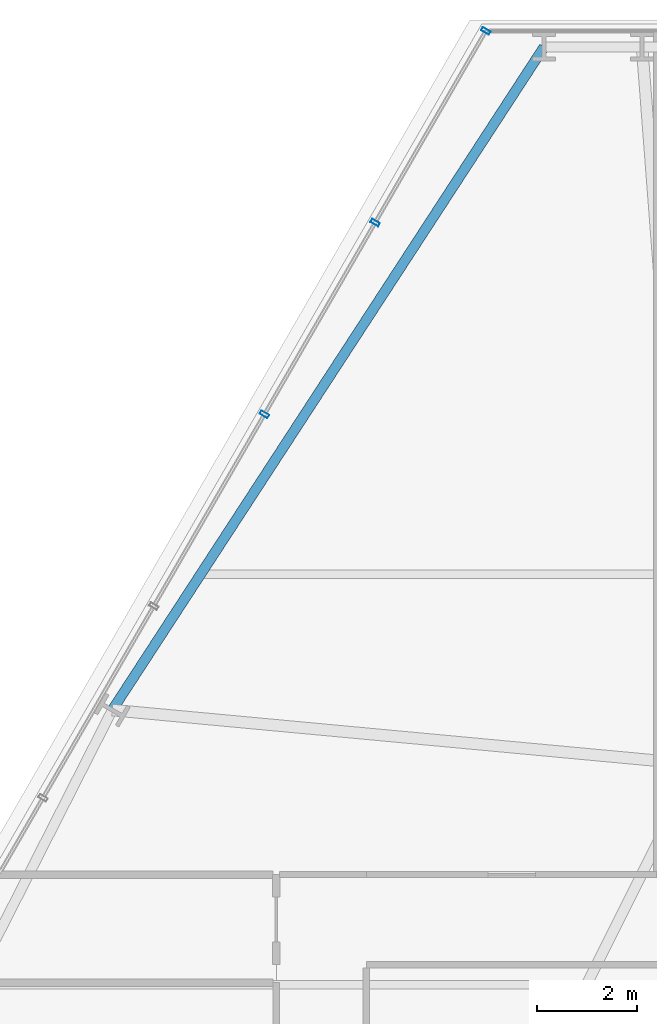
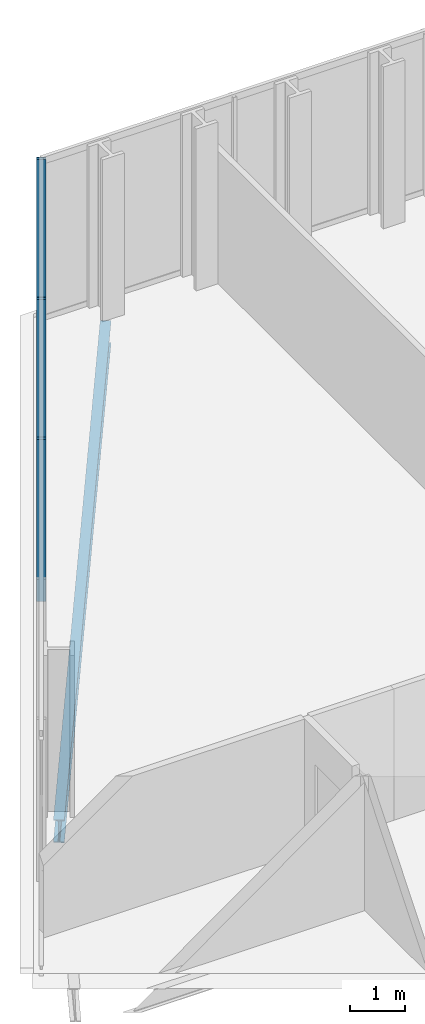
# One storey, part 20 of 32: 3 members, 1 beam, 1 element without a shape of its own.
"""IFC4 building model written with IfcOpenShell, lengths in metres."""

import ifcopenshell
import ifcopenshell.guid

model = None  # the IFC model being written
_history = None  # IfcOwnerHistory: only IFC2X3 demands one
_inside = {}  # id of a spatial element -> (the spatial element, [elements in it])
_under = {}  # id of a project, library or spatial element -> (it, [spatial elements below it])
_declared = {}  # id of a project -> (the project, [libraries it declares])
_typed = {}  # id of a type object -> (the type object, [elements of that type])
_made_of = {}  # id of a material, layer set ... -> (it, [elements and type objects made of it])


def new_model(schema):
    """Start an empty IFC model of exactly this schema.

    Asked for "IFC4X3", IfcOpenShell would pick the latest addendum, in which some entities
    have other attributes; the version numbers below select the first issue.
    IFC2X3 requires an IfcOwnerHistory on every rooted entity: one is made here for all.
    """
    global model, _history
    if schema == "IFC4X3":
        model = ifcopenshell.file(schema_version=(4, 3, 0, 0))
    else:
        model = ifcopenshell.file(schema=schema)
    _inside.clear()
    _under.clear()
    _declared.clear()
    _typed.clear()
    _made_of.clear()
    _history = None
    if model.schema == "IFC2X3":
        org = make("IfcOrganization", Name="unknown")
        user = make(
            "IfcPersonAndOrganization",
            ThePerson=make("IfcPerson", FamilyName="unknown"),
            TheOrganization=org,
        )
        app = make(
            "IfcApplication",
            ApplicationDeveloper=org,
            Version="unknown",
            ApplicationFullName="unknown",
            ApplicationIdentifier="unknown",
        )
        _history = make(
            "IfcOwnerHistory",
            OwningUser=user,
            OwningApplication=app,
            ChangeAction="ADDED",
            CreationDate=0,
        )
    return model


def make(cls, **values):
    """One entity of the class cls with the attributes given. An attribute that is None is left unset."""
    return model.create_entity(
        cls, **{name: value for name, value in values.items() if value is not None}
    )


def rooted(cls, **values):
    """An entity with a GlobalId (a new one), such as an element, a storey or a relation."""
    return make(cls, GlobalId=ifcopenshell.guid.new(), OwnerHistory=_history, **values)


def si_unit(unit_type, name, prefix=None):
    """IfcSIUnit, for example si_unit("LENGTHUNIT", "METRE", prefix="MILLI")."""
    return make("IfcSIUnit", UnitType=unit_type, Prefix=prefix, Name=name)


def assignment(units):
    """IfcUnitAssignment: the units of a project."""
    return None if units is None else make("IfcUnitAssignment", Units=units)


def point(xyz):
    """IfcCartesianPoint."""
    return None if xyz is None else make("IfcCartesianPoint", Coordinates=xyz)


def direction(xyz):
    """IfcDirection."""
    return None if xyz is None else make("IfcDirection", DirectionRatios=xyz)


def frame(location, z_axis=None, x_axis=None):
    """IfcAxis2Placement3D, a coordinate frame: its origin and axes. An axis left out is left unset."""
    return make(
        "IfcAxis2Placement3D",
        Location=point(location),
        Axis=direction(z_axis),
        RefDirection=direction(x_axis),
    )


def frame_2d(location, x_axis=None):
    """IfcAxis2Placement2D, a coordinate frame in the plane: its origin and x axis."""
    return make(
        "IfcAxis2Placement2D", Location=point(location), RefDirection=direction(x_axis)
    )


def origin():
    """The frame at (0, 0, 0) with its axes left unset."""
    return frame((0.0, 0.0, 0.0))


def origin_2d():
    """The frame at (0, 0) in the plane with its x axis left unset."""
    return frame_2d((0.0, 0.0))


def place(relative_to, where):
    """IfcLocalPlacement: puts the frame where relative to a parent placement (None: the world)."""
    return make(
        "IfcLocalPlacement", PlacementRelTo=relative_to, RelativePlacement=where
    )


def context(
    kind, dimensions, precision=None, world=None, true_north=None, identifier=None
):
    """IfcGeometricRepresentationContext, for example the 3D "Model" context."""
    return make(
        "IfcGeometricRepresentationContext",
        ContextIdentifier=identifier,
        ContextType=kind,
        CoordinateSpaceDimension=dimensions,
        Precision=precision,
        WorldCoordinateSystem=world,
        TrueNorth=true_north,
    )


def subcontext(parent, identifier, kind, view, scale=None):
    """IfcGeometricRepresentationSubContext, for example "Body" below "Model"."""
    return make(
        "IfcGeometricRepresentationSubContext",
        ContextIdentifier=identifier,
        ContextType=kind,
        ParentContext=parent,
        TargetScale=scale,
        TargetView=view,
    )


def project(units=None, contexts=None):
    """IfcProject with its units and contexts."""
    return rooted(
        "IfcProject",
        Name="project",
        RepresentationContexts=contexts,
        UnitsInContext=assignment(units),
    )


def spatial(cls, under=None, at=None, **own):
    """A site, building, storey or space (cls), placed at a placement, below another one or the project."""
    s = rooted(cls, ObjectPlacement=at, **own)
    if under is not None:
        _under.setdefault(under.id(), (under, []))[1].append(s)
    return s


def profile(cls, at=None, kind="AREA", **sizes):
    """A parametric profile (cls). Its sizes go by their IFC names, for example OverallWidth=200.0."""
    return make(cls, ProfileType=kind, Position=at, **sizes)


def hollow_rectangle(**sizes):
    """IfcRectangleHollowProfileDef."""
    return profile("IfcRectangleHollowProfileDef", **sizes)


def i_section(**sizes):
    """IfcIShapeProfileDef."""
    return profile("IfcIShapeProfileDef", **sizes)


def extrude(swept, where, along, depth):
    """IfcExtrudedAreaSolid: the profile swept, set in the frame where, extruded along a direction by depth."""
    return make(
        "IfcExtrudedAreaSolid",
        SweptArea=swept,
        Position=where,
        ExtrudedDirection=direction(along),
        Depth=depth,
    )


def shape(context_of_items, identifier, shape_type, items):
    """IfcShapeRepresentation: the items that make up one representation, for example the "Body"."""
    return make(
        "IfcShapeRepresentation",
        ContextOfItems=context_of_items,
        RepresentationIdentifier=identifier,
        RepresentationType=shape_type,
        Items=items,
    )


def material(Name=None, Category=None):
    """IfcMaterial."""
    return make("IfcMaterial", Name=Name, Category=Category)


def layer(
    of_material, thickness, ventilated=None, Name=None, Category=None, Priority=None
):
    """IfcMaterialLayer: one layer of a wall or slab, of a material (None: an air gap)."""
    return make(
        "IfcMaterialLayer",
        Material=of_material,
        LayerThickness=thickness,
        IsVentilated=ventilated,
        Name=Name,
        Category=Category,
        Priority=Priority,
    )


def layer_set(layers, Name=None):
    """IfcMaterialLayerSet."""
    return make("IfcMaterialLayerSet", MaterialLayers=layers, LayerSetName=Name)


def material_profile(
    of_material, cross_section, Name=None, Category=None, Priority=None
):
    """IfcMaterialProfile: a cross section and its material."""
    return make(
        "IfcMaterialProfile",
        Name=Name,
        Material=of_material,
        Profile=cross_section,
        Priority=Priority,
        Category=Category,
    )


def profile_set(profiles, Name=None, composite=None):
    """IfcMaterialProfileSet."""
    return make(
        "IfcMaterialProfileSet",
        Name=Name,
        MaterialProfiles=profiles,
        CompositeProfile=composite,
    )


def made_of(thing, what):
    """Note that an element or type object is made of a material, layer set ...; save() writes the relation."""
    if what is not None:
        _made_of.setdefault(what.id(), (what, []))[1].append(thing)
    return thing


def type_object(cls, material=None, **own):
    """A type object (cls), such as IfcWallType, which elements share."""
    return made_of(rooted(cls, **own), material)


def element(
    cls,
    number,
    at=None,
    inside=None,
    cuts=None,
    type_object=None,
    material=None,
    context=None,
    identifier="Body",
    shape_type=None,
    held_by="IfcProductDefinitionShape",
    body=None,
    shapes=None,
    **own,
):
    """One element of the class cls, such as IfcWall. Its Tag is "e" and its number.

    at: its placement. inside: the storey or other place that contains it. cuts: it is an
    opening in that element (IfcRelVoidsElement). A single representation is given by context,
    identifier, shape_type and body (its items); several are given by shapes. held_by: the class
    of the entity that holds the representations. save() writes the other relations.
    """
    e = rooted(cls, Tag="e%d" % number, ObjectPlacement=at, **own)
    if body is not None:
        shapes = [shape(context, identifier, shape_type, body)]
    if shapes is not None:
        e.Representation = make(held_by, Representations=shapes)
    if inside is not None:
        _inside.setdefault(inside.id(), (inside, []))[1].append(e)
    if cuts is not None:
        rooted(
            "IfcRelVoidsElement", RelatingBuildingElement=cuts, RelatedOpeningElement=e
        )
    if type_object is not None:
        _typed.setdefault(type_object.id(), (type_object, []))[1].append(e)
    return made_of(e, material)


def aggregate(whole, parts):
    """IfcRelAggregates: a whole, such as a stair, and the parts it consists of."""
    return rooted("IfcRelAggregates", RelatingObject=whole, RelatedObjects=parts)


def save(model, path):
    """Write the relations noted so far, then the file.

    IfcRelAggregates (storeys below a building ...), IfcRelContainedInSpatialStructure (elements
    in a storey), IfcRelDefinesByType, IfcRelAssociatesMaterial and IfcRelDeclares: one each for
    every whole, place, type object, material and project.
    """
    for whole, parts in _under.values():
        aggregate(whole, parts)
    for where, things in _inside.values():
        rooted(
            "IfcRelContainedInSpatialStructure",
            RelatedElements=things,
            RelatingStructure=where,
        )
    for kind, things in _typed.values():
        rooted("IfcRelDefinesByType", RelatedObjects=things, RelatingType=kind)
    for what, things in _made_of.values():
        rooted("IfcRelAssociatesMaterial", RelatedObjects=things, RelatingMaterial=what)
    for by, libraries in _declared.values():
        rooted("IfcRelDeclares", RelatingContext=by, RelatedDefinitions=libraries)
    model.write(path)


model = new_model("IFC4")

# Units and contexts
model_context = context("Model", 3, precision=1e-05, world=origin(), true_north=direction((0.0, 1.0)))
body_context = subcontext(model_context, "Body", "Model", "MODEL_VIEW")
ifc_project = project(units=[si_unit("LENGTHUNIT", "METRE"), si_unit("AREAUNIT", "SQUARE_METRE"), si_unit("VOLUMEUNIT", "CUBIC_METRE"), si_unit("PLANEANGLEUNIT", "RADIAN"), si_unit("MASSUNIT", "GRAM", prefix="KILO")], contexts=[model_context])

# Site, building, storey
site_placement = place(None, origin())
site = spatial("IfcSite", under=ifc_project, at=site_placement, CompositionType="ELEMENT")
building_placement = place(site_placement, origin())
building = spatial("IfcBuilding", under=site, at=building_placement, Name="Ndaravel Arena Tower", CompositionType="ELEMENT")
storey_placement = place(building_placement, frame((0.0, 0.0, 47.39990234375)))
storey = spatial("IfcBuildingStorey", under=building, at=storey_placement, Name="L09", CompositionType="ELEMENT", Elevation=47.39990234375)

# Beam
ifc_material_1 = material(Name="Steel S355", Category="steel")
ifc_material_profile_1 = material_profile(ifc_material_1, i_section(OverallWidth=0.199951171875, OverallDepth=0.5, WebThickness=0.01025390625, FlangeThickness=0.01611328125, FilletRadius=0.02099609375, at=origin_2d()), Name="IPE 500")
ifc_profile_set_1 = profile_set([ifc_material_profile_1], Name="Steel S355")
beam_type = type_object("IfcBeamType", Name="BM-SPAN-IPE500", PredefinedType="SPANDREL", material=ifc_profile_set_1)
beam_placement = place(storey_placement, frame((35.14990234375, 45.531494140625, -0.469970703125), z_axis=(-0.545711257889, -0.837973282995, 0.0), x_axis=(0.837973282995, -0.545711257889, 0.0)))
element("IfcBeam", 1, at=beam_placement, inside=storey, type_object=beam_type, Name="L09 Perimeter Spandrel Beam SP-18", PredefinedType="SPANDREL", context=body_context, shape_type="SweptSolid", body=[
    extrude(i_section(OverallWidth=0.199951171875, OverallDepth=0.5, WebThickness=0.01025390625, FlangeThickness=0.01611328125, FilletRadius=0.02099609375, at=origin_2d()), origin(), (0.0, 0.0, 1.0), 15.807373046875),
])

# Curtain wall, members
ifc_material_2 = material(Name="Aluminium", Category="aluminium")
ifc_layer = layer(ifc_material_2, 0.179931640625)
ifc_layer_set = layer_set([ifc_layer], Name="Aluminium")
curtain_wall_type = type_object("IfcCurtainWallType", Name="CW-SYS-03", PredefinedType="NOTDEFINED", material=ifc_layer_set)
curtain_wall_placement = place(storey_placement, origin())
curtain_wall = element("IfcCurtainWall", 2, at=curtain_wall_placement, inside=storey, type_object=curtain_wall_type, Name="L09 Faceted Crystal Curtain Wall CW-L09-E05", PredefinedType="NOTDEFINED")
ifc_material_3 = material(Name="Aluminium", Category="aluminium")
ifc_material_profile_2 = material_profile(ifc_material_3, hollow_rectangle(XDim=0.074951171875, YDim=0.179931640625, WallThickness=0.00390625, at=origin_2d()), Name="CW MULLION 75x180x4")
ifc_profile_set_2 = profile_set([ifc_material_profile_2], Name="Aluminium")
member_type = type_object("IfcMemberType", Name="MEM-CW-MUL180", PredefinedType="MULLION", material=ifc_profile_set_2)
member_1_placement = place(storey_placement, frame((33.98681640625, 45.851318359375, 0.0), z_axis=(0.0, 0.0, 1.0), x_axis=(-0.5, -0.866025403784, 0.0)))
member_1 = element("IfcMember", 3, at=member_1_placement, type_object=member_type, Name="CW-L09-E05 Mullion 00", PredefinedType="MULLION", context=body_context, shape_type="SweptSolid", body=[
    extrude(hollow_rectangle(XDim=0.074951171875, YDim=0.179931640625, WallThickness=0.00390625, at=origin_2d()), origin(), (0.0, 0.0, 1.0), 3.580078125),
])
member_2_placement = place(storey_placement, frame((31.775390625, 42.02099609375, 0.0), z_axis=(0.0, 0.0, 1.0), x_axis=(-0.5, -0.866025403784, 0.0)))
member_2 = element("IfcMember", 4, at=member_2_placement, type_object=member_type, Name="CW-L09-E05 Mullion 01", PredefinedType="MULLION", context=body_context, shape_type="SweptSolid", body=[
    extrude(hollow_rectangle(XDim=0.074951171875, YDim=0.179931640625, WallThickness=0.00390625, at=origin_2d()), origin(), (0.0, 0.0, 1.0), 3.580078125),
])
member_3_placement = place(storey_placement, frame((29.56396484375, 38.19091796875, 0.0), z_axis=(0.0, 0.0, 1.0), x_axis=(-0.5, -0.866025403784, 0.0)))
member_3 = element("IfcMember", 5, at=member_3_placement, type_object=member_type, Name="CW-L09-E05 Mullion 02", PredefinedType="MULLION", context=body_context, shape_type="SweptSolid", body=[
    extrude(hollow_rectangle(XDim=0.074951171875, YDim=0.179931640625, WallThickness=0.00390625, at=origin_2d()), origin(), (0.0, 0.0, 1.0), 3.580078125),
])
aggregate(curtain_wall, [member_1, member_2, member_3])

save(model, "model.ifc")
